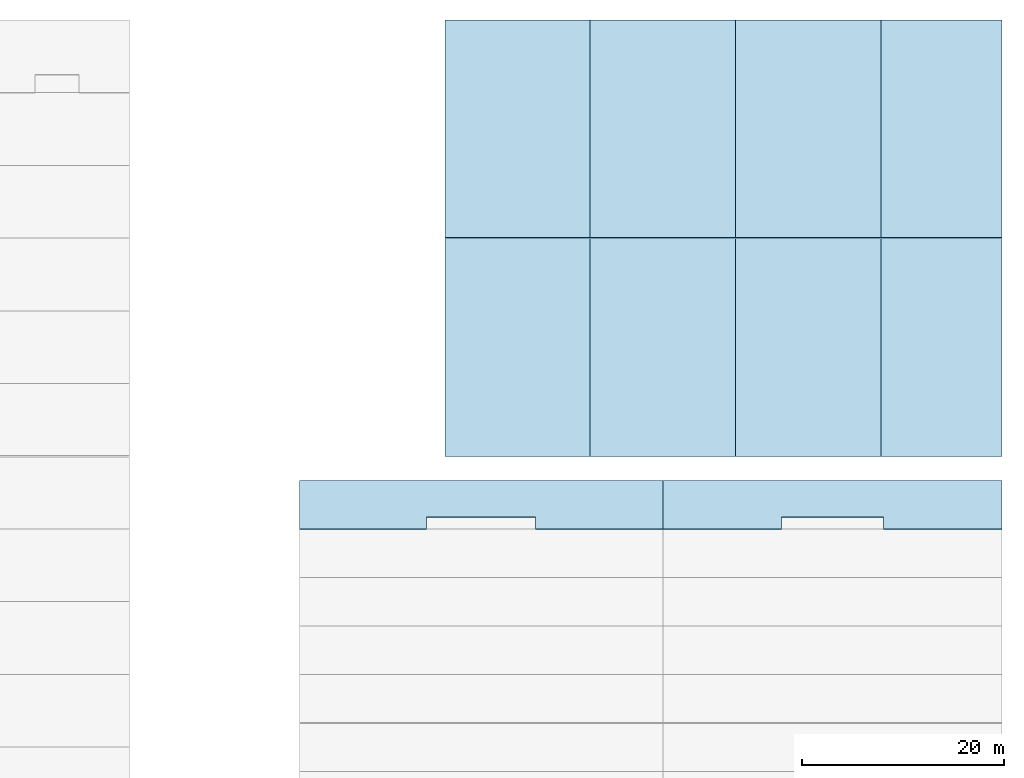
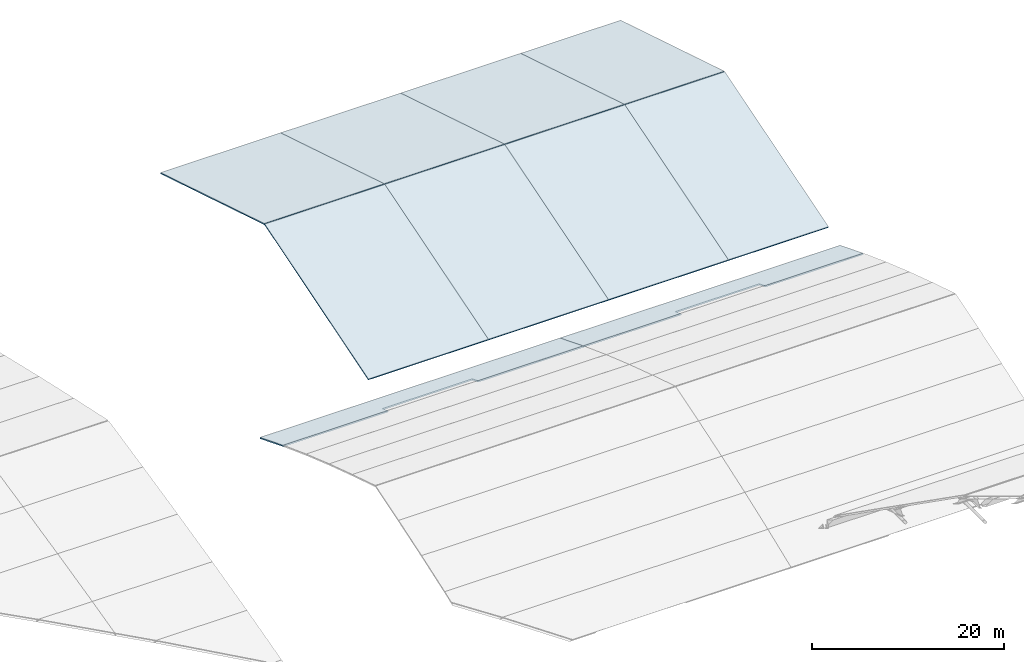
# One storey, part 4 of 7: 10 slabs.
"""IFC4 building model written with IfcOpenShell, lengths in metres."""

from ifc_helpers import new_model, si_unit, direction, frame, origin, place, context, subcontext, project, spatial, polyline, outline, extrude, material, layer, layer_set, type_object, element, save


model = new_model("IFC4")

# Units and contexts
model_context = context("Model", 3, precision=1e-05, world=origin(), true_north=direction((0.0, 1.0)))
body_context = subcontext(model_context, "Body", "Model", "MODEL_VIEW")
ifc_project = project(units=[si_unit("LENGTHUNIT", "METRE"), si_unit("AREAUNIT", "SQUARE_METRE"), si_unit("VOLUMEUNIT", "CUBIC_METRE"), si_unit("PLANEANGLEUNIT", "RADIAN"), si_unit("MASSUNIT", "GRAM", prefix="KILO")], contexts=[model_context])

# Site, building, storey
site_placement = place(None, origin())
site = spatial("IfcSite", under=ifc_project, at=site_placement, CompositionType="ELEMENT")
building_placement = place(site_placement, origin())
building = spatial("IfcBuilding", under=site, at=building_placement, Name="Cendralis Lancet Convention Centre", CompositionType="ELEMENT")
storey_placement = place(building_placement, frame((0.0, 0.0, 29.39990234375)))
storey = spatial("IfcBuildingStorey", under=building, at=storey_placement, Name="RF", CompositionType="ELEMENT", Elevation=29.39990234375)

# Slabs
ifc_material = material(Name="Steel S355", Category="steel")
ifc_layer_1 = layer(ifc_material, 0.14990234375, Name="Steel S355")
ifc_layer_set_1 = layer_set([ifc_layer_1], Name="Steel S355")
slab_type_1 = type_object("IfcSlabType", Name="STR-SL-VR15", PredefinedType="ROOF", material=ifc_layer_set_1)
slab_1_placement = place(storey_placement, frame((139.199951171875, 86.39990234375, -9.22607421875), z_axis=(0.0, 0.368812577605, 0.929503782994), x_axis=(1.0, 0.0, 0.0)))
element("IfcSlab", 1, at=slab_1_placement, inside=storey, type_object=slab_type_1, Name="V2 Vault Roof Deck Slab 01-09", PredefinedType="ROOF", context=body_context, shape_type="SweptSolid", body=[
    extrude(outline(polyline([(0.0, 0.0), (12.60009765625, 0.0), (12.60009765625, 1.2911682430490186), (23.400146484375, 1.2911682430490186), (23.400146484375, 0.0), (36.0, 0.0), (36.0, 5.164082225425719), (0.0, 5.164082225425719), (0.0, 0.0)])), origin(), (0.0, 0.0, -1.0), 0.14990234375),
])
slab_2_placement = place(storey_placement, frame((175.199951171875, 86.39990234375, -9.22607421875), z_axis=(0.0, 0.368812577607, 0.929503782993), x_axis=(1.0, 0.0, 0.0)))
element("IfcSlab", 2, at=slab_2_placement, inside=storey, type_object=slab_type_1, Name="V2 Vault Roof Deck Slab 02-09", PredefinedType="ROOF", context=body_context, shape_type="SweptSolid", body=[
    extrude(outline(polyline([(0.0, 0.0), (11.760009765625, 0.0), (11.760009765625, 1.2911682430490181), (21.840087890625, 1.2911682430490181), (21.840087890625, 0.0), (33.60009765625, 0.0), (33.60009765625, 5.164082225425718), (0.0, 5.164082225425718), (0.0, 0.0)])), origin(), (0.0, 0.0, -1.0), 0.14990234375),
])
ifc_layer_2 = layer(ifc_material, 0.139892578125, Name="Steel S355")
ifc_layer_set_2 = layer_set([ifc_layer_2], Name="Steel S355")
slab_type_2 = type_object("IfcSlabType", Name="STR-SL-ZR14", PredefinedType="ROOF", material=ifc_layer_set_2)
slab_3_placement = place(storey_placement, frame((153.60009765625, 93.60009765625, -10.235595703125), z_axis=(0.0, -0.292969254641, 0.95612186244), x_axis=(1.0, 0.0, 0.0)))
element("IfcSlab", 3, at=slab_3_placement, inside=storey, type_object=slab_type_2, Name="Ballroom Pitched Roof Deck Slab 01-S", PredefinedType="ROOF", context=body_context, shape_type="SweptSolid", body=[
    extrude(outline(polyline([(0.0, 0.0), (14.39990234375, 0.0), (14.39990234375, 22.52829452818097), (0.0, 22.52829452818097), (0.0, 0.0)])), origin(), (0.0, 0.0, -1.0), 0.139892578125),
])
slab_4_placement = place(storey_placement, frame((153.60009765625, 115.260009765625, -3.635498046875), z_axis=(0.0, 0.292966219053, 0.956122792581), x_axis=(1.0, 0.0, 0.0)))
element("IfcSlab", 4, at=slab_4_placement, inside=storey, type_object=slab_type_2, Name="Ballroom Pitched Roof Deck Slab 01-N", PredefinedType="ROOF", context=body_context, shape_type="SweptSolid", body=[
    extrude(outline(polyline([(0.0, 0.0), (14.39990234375, 0.0), (14.39990234375, 22.528527956483586), (0.0, 22.528527956483586), (0.0, 0.0)])), origin(), (0.0, 0.0, -1.0), 0.139892578125),
])
slab_5_placement = place(storey_placement, frame((168.0, 93.60009765625, -10.235595703125), z_axis=(0.0, -0.292969254641, 0.95612186244), x_axis=(1.0, 0.0, 0.0)))
element("IfcSlab", 5, at=slab_5_placement, inside=storey, type_object=slab_type_2, Name="Ballroom Pitched Roof Deck Slab 02-S", PredefinedType="ROOF", context=body_context, shape_type="SweptSolid", body=[
    extrude(outline(polyline([(0.0, 0.0), (14.39990234375, 0.0), (14.39990234375, 22.52829452818097), (0.0, 22.52829452818097), (0.0, 0.0)])), origin(), (0.0, 0.0, -1.0), 0.139892578125),
])
slab_6_placement = place(storey_placement, frame((168.0, 115.260009765625, -3.635498046875), z_axis=(0.0, 0.292966219053, 0.956122792581), x_axis=(1.0, 0.0, 0.0)))
element("IfcSlab", 6, at=slab_6_placement, inside=storey, type_object=slab_type_2, Name="Ballroom Pitched Roof Deck Slab 02-N", PredefinedType="ROOF", context=body_context, shape_type="SweptSolid", body=[
    extrude(outline(polyline([(0.0, 0.0), (14.39990234375, 0.0), (14.39990234375, 22.528527956483586), (0.0, 22.528527956483586), (0.0, 0.0)])), origin(), (0.0, 0.0, -1.0), 0.139892578125),
])
slab_7_placement = place(storey_placement, frame((182.39990234375, 93.60009765625, -10.235595703125), z_axis=(0.0, -0.292969254641, 0.95612186244), x_axis=(1.0, 0.0, 0.0)))
element("IfcSlab", 7, at=slab_7_placement, inside=storey, type_object=slab_type_2, Name="Ballroom Pitched Roof Deck Slab 03-S", PredefinedType="ROOF", context=body_context, shape_type="SweptSolid", body=[
    extrude(outline(polyline([(0.0, 0.0), (14.400146484375, 0.0), (14.400146484375, 22.528294528180975), (0.0, 22.528294528180975), (0.0, 0.0)])), origin(), (0.0, 0.0, -1.0), 0.139892578125),
])
slab_8_placement = place(storey_placement, frame((182.39990234375, 115.260009765625, -3.635498046875), z_axis=(0.0, 0.292966219053, 0.956122792581), x_axis=(1.0, 0.0, 0.0)))
element("IfcSlab", 8, at=slab_8_placement, inside=storey, type_object=slab_type_2, Name="Ballroom Pitched Roof Deck Slab 03-N", PredefinedType="ROOF", context=body_context, shape_type="SweptSolid", body=[
    extrude(outline(polyline([(0.0, 0.0), (14.400146484375, 0.0), (14.400146484375, 22.528527956483586), (0.0, 22.528527956483586), (0.0, 0.0)])), origin(), (0.0, 0.0, -1.0), 0.139892578125),
])
slab_9_placement = place(storey_placement, frame((196.800048828125, 93.60009765625, -10.235595703125), z_axis=(0.0, -0.292969254641, 0.95612186244), x_axis=(1.0, 0.0, 0.0)))
element("IfcSlab", 9, at=slab_9_placement, inside=storey, type_object=slab_type_2, Name="Ballroom Pitched Roof Deck Slab 04-S", PredefinedType="ROOF", context=body_context, shape_type="SweptSolid", body=[
    extrude(outline(polyline([(0.0, 0.0), (12.0, 0.0), (12.0, 22.52829452818097), (0.0, 22.52829452818097), (0.0, 0.0)])), origin(), (0.0, 0.0, -1.0), 0.139892578125),
])
slab_10_placement = place(storey_placement, frame((196.800048828125, 115.260009765625, -3.635498046875), z_axis=(0.0, 0.292966219053, 0.956122792581), x_axis=(1.0, 0.0, 0.0)))
element("IfcSlab", 10, at=slab_10_placement, inside=storey, type_object=slab_type_2, Name="Ballroom Pitched Roof Deck Slab 04-N", PredefinedType="ROOF", context=body_context, shape_type="SweptSolid", body=[
    extrude(outline(polyline([(0.0, 0.0), (12.0, 0.0), (12.0, 22.528527956483586), (0.0, 22.528527956483586), (0.0, 0.0)])), origin(), (0.0, 0.0, -1.0), 0.139892578125),
])

save(model, "model.ifc")
